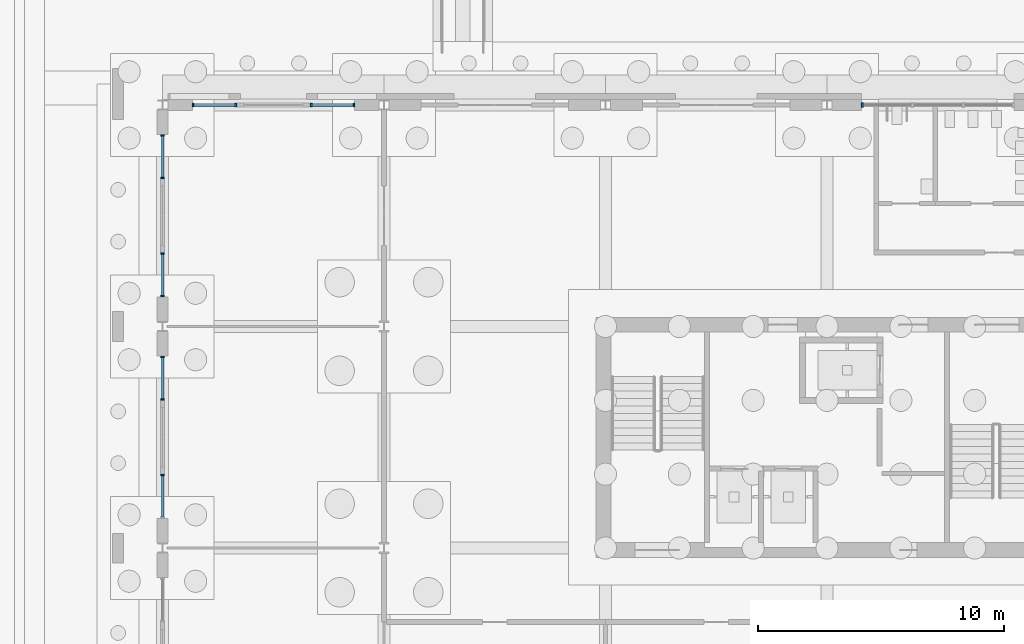
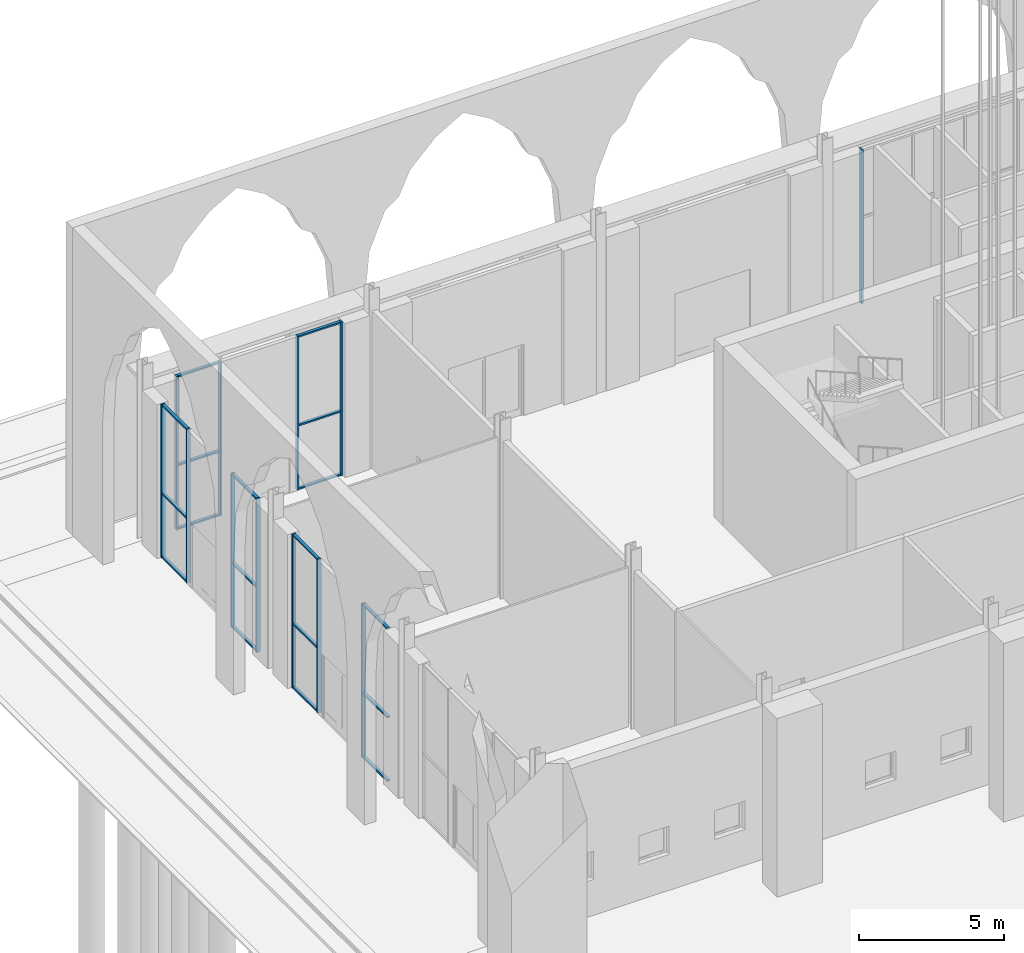
# One storey, part 63 of 250: 30 members, 7 elements without a shape of their own.
"""IFC4 building model written with IfcOpenShell, lengths in metres."""

from ifc_helpers import new_model, si_unit, direction, frame, origin, origin_2d, place, context, subcontext, project, spatial, rectangle, extrude, material, material_profile, profile_set, type_object, element, aggregate, save


model = new_model("IFC4")

# Units and contexts
model_context = context("Model", 3, precision=1e-05, world=origin(), true_north=direction((0.0, 1.0)))
body_context = subcontext(model_context, "Body", "Model", "MODEL_VIEW")
ifc_project = project(units=[si_unit("LENGTHUNIT", "METRE"), si_unit("AREAUNIT", "SQUARE_METRE"), si_unit("VOLUMEUNIT", "CUBIC_METRE"), si_unit("PLANEANGLEUNIT", "RADIAN"), si_unit("MASSUNIT", "GRAM", prefix="KILO")], contexts=[model_context])

# Site, building, storey
site_placement = place(None, origin())
site = spatial("IfcSite", under=ifc_project, at=site_placement, CompositionType="ELEMENT")
building_placement = place(site_placement, origin())
building = spatial("IfcBuilding", under=site, at=building_placement, Name="Baradari Gate Terminus", CompositionType="ELEMENT")
storey_placement = place(building_placement, origin())
storey = spatial("IfcBuildingStorey", under=building, at=storey_placement, Name="L00", CompositionType="ELEMENT", Elevation=0.0)

# Curtain wall, members
ifc_material_1 = material(Name="Aluminium 6063-T6", Category="aluminium")
curtain_wall_type_1 = type_object("IfcCurtainWallType", Name="Curtain wall CW-12 shopfront, other height", PredefinedType="NOTDEFINED", material=ifc_material_1)
curtain_wall_1_placement = place(storey_placement, origin())
curtain_wall_1 = element("IfcCurtainWall", 1, at=curtain_wall_1_placement, inside=storey, type_object=curtain_wall_type_1, Name="Shopfront curtain wall CW-12 TN bay 1 L00", PredefinedType="NOTDEFINED")
ifc_material_2 = material(Name="Aluminium 6063-T6", Category="aluminium")
ifc_material_profile_1 = material_profile(ifc_material_2, rectangle(XDim=0.14990234375, YDim=0.06494140625, at=origin_2d()), Name="CM-12 65X150")
ifc_profile_set_1 = profile_set([ifc_material_profile_1], Name="Aluminium 6063-T6")
member_type_1 = type_object("IfcMemberType", Name="Curtain wall mullion CM-12 65x150", PredefinedType="MULLION", material=ifc_profile_set_1)
member_1_placement = place(storey_placement, frame((10.245361328125, 144.0, 0.0), z_axis=(0.0, 0.0, 1.0), x_axis=(0.0, 1.0, 0.0)))
member_1 = element("IfcMember", 2, at=member_1_placement, type_object=member_type_1, Name="CW-12 mullion 1", PredefinedType="MULLION", context=body_context, shape_type="SweptSolid", body=[
    extrude(rectangle(XDim=0.14990234375, YDim=0.06494140625, at=origin_2d()), origin(), (0.0, 0.0, 1.0), 6.459716796875),
])
member_2_placement = place(storey_placement, frame((11.980224609375, 144.0, 0.0), z_axis=(0.0, 0.0, 1.0), x_axis=(0.0, 1.0, 0.0)))
member_2 = element("IfcMember", 3, at=member_2_placement, type_object=member_type_1, Name="CW-12 mullion 2", PredefinedType="MULLION", context=body_context, shape_type="SweptSolid", body=[
    extrude(rectangle(XDim=0.14990234375, YDim=0.06494140625, at=origin_2d()), origin(), (0.0, 0.0, 1.0), 6.459716796875),
])

curtain_wall_2_placement = place(storey_placement, origin())
curtain_wall_2 = element("IfcCurtainWall", 4, at=curtain_wall_2_placement, inside=storey, type_object=curtain_wall_type_1, Name="Shopfront curtain wall CW-12 TN bay 1 L00", PredefinedType="NOTDEFINED")
member_3_placement = place(storey_placement, frame((15.045166015625, 144.0, 0.0), z_axis=(0.0, 0.0, 1.0), x_axis=(0.0, 1.0, 0.0)))
member_3 = element("IfcMember", 5, at=member_3_placement, type_object=member_type_1, Name="CW-12 mullion 1", PredefinedType="MULLION", context=body_context, shape_type="SweptSolid", body=[
    extrude(rectangle(XDim=0.14990234375, YDim=0.06494140625, at=origin_2d()), origin(), (0.0, 0.0, 1.0), 6.459716796875),
])
member_4_placement = place(storey_placement, frame((16.7802734375, 144.0, 0.0), z_axis=(0.0, 0.0, 1.0), x_axis=(0.0, 1.0, 0.0)))
member_4 = element("IfcMember", 6, at=member_4_placement, type_object=member_type_1, Name="CW-12 mullion 2", PredefinedType="MULLION", context=body_context, shape_type="SweptSolid", body=[
    extrude(rectangle(XDim=0.14990234375, YDim=0.06494140625, at=origin_2d()), origin(), (0.0, 0.0, 1.0), 6.459716796875),
])

# Curtain wall, member
curtain_wall_3_placement = place(storey_placement, origin())
curtain_wall_3 = element("IfcCurtainWall", 7, at=curtain_wall_3_placement, inside=storey, type_object=curtain_wall_type_1, Name="Shopfront curtain wall CW-12 TW bay 14 L00", PredefinedType="NOTDEFINED")
member_5_placement = place(storey_placement, frame((9.0, 128.967529296875, 0.0), z_axis=(0.0, 0.0, 1.0), x_axis=(-1.0, 0.0, 0.0)))
member_5 = element("IfcMember", 8, at=member_5_placement, type_object=member_type_1, Name="CW-12 mullion 2", PredefinedType="MULLION", context=body_context, shape_type="SweptSolid", body=[
    extrude(rectangle(XDim=0.14990234375, YDim=0.06494140625, at=origin_2d()), origin(), (0.0, 0.0, 1.0), 6.459716796875),
])

# Curtain wall, members
curtain_wall_4_placement = place(storey_placement, origin())
curtain_wall_4 = element("IfcCurtainWall", 9, at=curtain_wall_4_placement, inside=storey, type_object=curtain_wall_type_1, Name="Shopfront curtain wall CW-12 TW bay 14 L00", PredefinedType="NOTDEFINED")
member_6_placement = place(storey_placement, frame((9.0, 132.032470703125, 0.0), z_axis=(0.0, 0.0, 1.0), x_axis=(-1.0, 0.0, 0.0)))
member_6 = element("IfcMember", 10, at=member_6_placement, type_object=member_type_1, Name="CW-12 mullion 1", PredefinedType="MULLION", context=body_context, shape_type="SweptSolid", body=[
    extrude(rectangle(XDim=0.14990234375, YDim=0.06494140625, at=origin_2d()), origin(), (0.0, 0.0, 1.0), 6.459716796875),
])
member_7_placement = place(storey_placement, frame((9.0, 133.767578125, 0.0), z_axis=(0.0, 0.0, 1.0), x_axis=(-1.0, 0.0, 0.0)))
member_7 = element("IfcMember", 11, at=member_7_placement, type_object=member_type_1, Name="CW-12 mullion 2", PredefinedType="MULLION", context=body_context, shape_type="SweptSolid", body=[
    extrude(rectangle(XDim=0.14990234375, YDim=0.06494140625, at=origin_2d()), origin(), (0.0, 0.0, 1.0), 6.459716796875),
])

curtain_wall_5_placement = place(storey_placement, origin())
curtain_wall_5 = element("IfcCurtainWall", 12, at=curtain_wall_5_placement, inside=storey, type_object=curtain_wall_type_1, Name="Shopfront curtain wall CW-12 TW bay 15 L00", PredefinedType="NOTDEFINED")
member_8_placement = place(storey_placement, frame((9.0, 136.232421875, 0.0), z_axis=(0.0, 0.0, 1.0), x_axis=(-1.0, 0.0, 0.0)))
member_8 = element("IfcMember", 13, at=member_8_placement, type_object=member_type_1, Name="CW-12 mullion 1", PredefinedType="MULLION", context=body_context, shape_type="SweptSolid", body=[
    extrude(rectangle(XDim=0.14990234375, YDim=0.06494140625, at=origin_2d()), origin(), (0.0, 0.0, 1.0), 6.459716796875),
])
member_9_placement = place(storey_placement, frame((9.0, 137.967529296875, 0.0), z_axis=(0.0, 0.0, 1.0), x_axis=(-1.0, 0.0, 0.0)))
member_9 = element("IfcMember", 14, at=member_9_placement, type_object=member_type_1, Name="CW-12 mullion 2", PredefinedType="MULLION", context=body_context, shape_type="SweptSolid", body=[
    extrude(rectangle(XDim=0.14990234375, YDim=0.06494140625, at=origin_2d()), origin(), (0.0, 0.0, 1.0), 6.459716796875),
])

curtain_wall_6_placement = place(storey_placement, origin())
curtain_wall_6 = element("IfcCurtainWall", 15, at=curtain_wall_6_placement, inside=storey, type_object=curtain_wall_type_1, Name="Shopfront curtain wall CW-12 TW bay 15 L00", PredefinedType="NOTDEFINED")
member_10_placement = place(storey_placement, frame((9.0, 141.032470703125, 0.0), z_axis=(0.0, 0.0, 1.0), x_axis=(-1.0, 0.0, 0.0)))
member_10 = element("IfcMember", 16, at=member_10_placement, type_object=member_type_1, Name="CW-12 mullion 1", PredefinedType="MULLION", context=body_context, shape_type="SweptSolid", body=[
    extrude(rectangle(XDim=0.14990234375, YDim=0.06494140625, at=origin_2d()), origin(), (0.0, 0.0, 1.0), 6.459716796875),
])
member_11_placement = place(storey_placement, frame((9.0, 142.767578125, 0.0), z_axis=(0.0, 0.0, 1.0), x_axis=(-1.0, 0.0, 0.0)))
member_11 = element("IfcMember", 17, at=member_11_placement, type_object=member_type_1, Name="CW-12 mullion 2", PredefinedType="MULLION", context=body_context, shape_type="SweptSolid", body=[
    extrude(rectangle(XDim=0.14990234375, YDim=0.06494140625, at=origin_2d()), origin(), (0.0, 0.0, 1.0), 6.459716796875),
])

# Curtain wall, member
ifc_material_3 = material(Name="Aluminium 6063-T6", Category="aluminium")
curtain_wall_type_2 = type_object("IfcCurtainWallType", Name="Curtain wall CW-7 lobby and lounge glazing", PredefinedType="NOTDEFINED", material=ifc_material_3)
curtain_wall_7_placement = place(storey_placement, origin())
curtain_wall_7 = element("IfcCurtainWall", 18, at=curtain_wall_7_placement, inside=storey, type_object=curtain_wall_type_2, Name="Glazed curtain wall CW-7 TN bay 5 L00", PredefinedType="NOTDEFINED")
ifc_material_4 = material(Name="Aluminium 6063-T6", Category="aluminium")
ifc_material_profile_2 = material_profile(ifc_material_4, rectangle(XDim=0.175048828125, YDim=0.080078125, at=origin_2d()), Name="CM-7 80X175")
ifc_profile_set_2 = profile_set([ifc_material_profile_2], Name="Aluminium 6063-T6")
member_type_2 = type_object("IfcMemberType", Name="Curtain wall mullion CM-7 80x175", PredefinedType="MULLION", material=ifc_profile_set_2)
member_12_placement = place(storey_placement, frame((37.439453125, 144.0, 0.0), z_axis=(0.0, 0.0, 1.0), x_axis=(0.0, 1.0, 0.0)))
member_12 = element("IfcMember", 19, at=member_12_placement, type_object=member_type_2, Name="CW-7 mullion 1", PredefinedType="MULLION", context=body_context, shape_type="SweptSolid", body=[
    extrude(rectangle(XDim=0.175048828125, YDim=0.080078125, at=origin_2d()), origin(), (0.0, 0.0, 1.0), 6.459716796875),
])
aggregate(curtain_wall_7, [member_12])

# Member
ifc_material_5 = material(Name="Aluminium 6063-T6", Category="aluminium")
ifc_material_profile_3 = material_profile(ifc_material_5, rectangle(XDim=0.1201171875, YDim=0.06494140625, at=origin_2d()), Name="CT-12 65X120")
ifc_profile_set_3 = profile_set([ifc_material_profile_3], Name="Aluminium 6063-T6")
member_type_3 = type_object("IfcMemberType", Name="Curtain wall transom CT-12 65x120", PredefinedType="USERDEFINED", material=ifc_profile_set_3)
member_13_placement = place(storey_placement, frame((10.27783203125, 144.0, 0.032470703125), z_axis=(1.0, 0.0, 0.0), x_axis=(0.0, 1.0, 0.0)))
member_13 = element("IfcMember", 20, at=member_13_placement, type_object=member_type_3, Name="CW-12 transom 1.1", ObjectType="TRANSOM", PredefinedType="USERDEFINED", context=body_context, shape_type="SweptSolid", body=[
    extrude(rectangle(XDim=0.1201171875, YDim=0.06494140625, at=origin_2d()), origin(), (0.0, 0.0, 1.0), 1.669921875),
])

member_14_placement = place(storey_placement, frame((10.27783203125, 144.0, 2.699951171875), z_axis=(1.0, 0.0, 0.0), x_axis=(0.0, 1.0, 0.0)))
member_14 = element("IfcMember", 21, at=member_14_placement, type_object=member_type_3, Name="CW-12 transom 1.2", ObjectType="TRANSOM", PredefinedType="USERDEFINED", context=body_context, shape_type="SweptSolid", body=[
    extrude(rectangle(XDim=0.1201171875, YDim=0.06494140625, at=origin_2d()), origin(), (0.0, 0.0, 1.0), 1.669921875),
])

member_15_placement = place(storey_placement, frame((10.27783203125, 144.0, 6.427001953125), z_axis=(1.0, 0.0, 0.0), x_axis=(0.0, 1.0, 0.0)))
member_15 = element("IfcMember", 22, at=member_15_placement, type_object=member_type_3, Name="CW-12 transom 1.3", ObjectType="TRANSOM", PredefinedType="USERDEFINED", context=body_context, shape_type="SweptSolid", body=[
    extrude(rectangle(XDim=0.1201171875, YDim=0.06494140625, at=origin_2d()), origin(), (0.0, 0.0, 1.0), 1.669921875),
])

aggregate(curtain_wall_1, [member_1, member_2, member_13, member_14, member_15])

member_16_placement = place(storey_placement, frame((15.07763671875, 144.0, 0.032470703125), z_axis=(1.0, 0.0, 0.0), x_axis=(0.0, 1.0, 0.0)))
member_16 = element("IfcMember", 23, at=member_16_placement, type_object=member_type_3, Name="CW-12 transom 1.1", ObjectType="TRANSOM", PredefinedType="USERDEFINED", context=body_context, shape_type="SweptSolid", body=[
    extrude(rectangle(XDim=0.1201171875, YDim=0.06494140625, at=origin_2d()), origin(), (0.0, 0.0, 1.0), 1.670166015625),
])

member_17_placement = place(storey_placement, frame((15.07763671875, 144.0, 2.699951171875), z_axis=(1.0, 0.0, 0.0), x_axis=(0.0, 1.0, 0.0)))
member_17 = element("IfcMember", 24, at=member_17_placement, type_object=member_type_3, Name="CW-12 transom 1.2", ObjectType="TRANSOM", PredefinedType="USERDEFINED", context=body_context, shape_type="SweptSolid", body=[
    extrude(rectangle(XDim=0.1201171875, YDim=0.06494140625, at=origin_2d()), origin(), (0.0, 0.0, 1.0), 1.670166015625),
])

member_18_placement = place(storey_placement, frame((15.07763671875, 144.0, 6.427001953125), z_axis=(1.0, 0.0, 0.0), x_axis=(0.0, 1.0, 0.0)))
member_18 = element("IfcMember", 25, at=member_18_placement, type_object=member_type_3, Name="CW-12 transom 1.3", ObjectType="TRANSOM", PredefinedType="USERDEFINED", context=body_context, shape_type="SweptSolid", body=[
    extrude(rectangle(XDim=0.1201171875, YDim=0.06494140625, at=origin_2d()), origin(), (0.0, 0.0, 1.0), 1.670166015625),
])

aggregate(curtain_wall_2, [member_3, member_4, member_16, member_17, member_18])

member_19_placement = place(storey_placement, frame((9.0, 127.264892578125, 0.032470703125), z_axis=(0.0, 1.0, 0.0), x_axis=(-1.0, 0.0, 0.0)))
member_19 = element("IfcMember", 26, at=member_19_placement, type_object=member_type_3, Name="CW-12 transom 1.1", ObjectType="TRANSOM", PredefinedType="USERDEFINED", context=body_context, shape_type="SweptSolid", body=[
    extrude(rectangle(XDim=0.1201171875, YDim=0.06494140625, at=origin_2d()), origin(), (0.0, 0.0, 1.0), 1.670166015625),
])

member_20_placement = place(storey_placement, frame((9.0, 127.264892578125, 2.699951171875), z_axis=(0.0, 1.0, 0.0), x_axis=(-1.0, 0.0, 0.0)))
member_20 = element("IfcMember", 27, at=member_20_placement, type_object=member_type_3, Name="CW-12 transom 1.2", ObjectType="TRANSOM", PredefinedType="USERDEFINED", context=body_context, shape_type="SweptSolid", body=[
    extrude(rectangle(XDim=0.1201171875, YDim=0.06494140625, at=origin_2d()), origin(), (0.0, 0.0, 1.0), 1.670166015625),
])

member_21_placement = place(storey_placement, frame((9.0, 127.264892578125, 6.427001953125), z_axis=(0.0, 1.0, 0.0), x_axis=(-1.0, 0.0, 0.0)))
member_21 = element("IfcMember", 28, at=member_21_placement, type_object=member_type_3, Name="CW-12 transom 1.3", ObjectType="TRANSOM", PredefinedType="USERDEFINED", context=body_context, shape_type="SweptSolid", body=[
    extrude(rectangle(XDim=0.1201171875, YDim=0.06494140625, at=origin_2d()), origin(), (0.0, 0.0, 1.0), 1.670166015625),
])

aggregate(curtain_wall_3, [member_5, member_19, member_20, member_21])

member_22_placement = place(storey_placement, frame((9.0, 132.06494140625, 0.032470703125), z_axis=(0.0, 1.0, 0.0), x_axis=(-1.0, 0.0, 0.0)))
member_22 = element("IfcMember", 29, at=member_22_placement, type_object=member_type_3, Name="CW-12 transom 1.1", ObjectType="TRANSOM", PredefinedType="USERDEFINED", context=body_context, shape_type="SweptSolid", body=[
    extrude(rectangle(XDim=0.1201171875, YDim=0.06494140625, at=origin_2d()), origin(), (0.0, 0.0, 1.0), 1.670166015625),
])

member_23_placement = place(storey_placement, frame((9.0, 132.06494140625, 2.699951171875), z_axis=(0.0, 1.0, 0.0), x_axis=(-1.0, 0.0, 0.0)))
member_23 = element("IfcMember", 30, at=member_23_placement, type_object=member_type_3, Name="CW-12 transom 1.2", ObjectType="TRANSOM", PredefinedType="USERDEFINED", context=body_context, shape_type="SweptSolid", body=[
    extrude(rectangle(XDim=0.1201171875, YDim=0.06494140625, at=origin_2d()), origin(), (0.0, 0.0, 1.0), 1.670166015625),
])

member_24_placement = place(storey_placement, frame((9.0, 132.06494140625, 6.427001953125), z_axis=(0.0, 1.0, 0.0), x_axis=(-1.0, 0.0, 0.0)))
member_24 = element("IfcMember", 31, at=member_24_placement, type_object=member_type_3, Name="CW-12 transom 1.3", ObjectType="TRANSOM", PredefinedType="USERDEFINED", context=body_context, shape_type="SweptSolid", body=[
    extrude(rectangle(XDim=0.1201171875, YDim=0.06494140625, at=origin_2d()), origin(), (0.0, 0.0, 1.0), 1.670166015625),
])

aggregate(curtain_wall_4, [member_6, member_7, member_22, member_23, member_24])

member_25_placement = place(storey_placement, frame((9.0, 136.264892578125, 0.032470703125), z_axis=(0.0, 1.0, 0.0), x_axis=(-1.0, 0.0, 0.0)))
member_25 = element("IfcMember", 32, at=member_25_placement, type_object=member_type_3, Name="CW-12 transom 1.1", ObjectType="TRANSOM", PredefinedType="USERDEFINED", context=body_context, shape_type="SweptSolid", body=[
    extrude(rectangle(XDim=0.1201171875, YDim=0.06494140625, at=origin_2d()), origin(), (0.0, 0.0, 1.0), 1.670166015625),
])

member_26_placement = place(storey_placement, frame((9.0, 136.264892578125, 2.699951171875), z_axis=(0.0, 1.0, 0.0), x_axis=(-1.0, 0.0, 0.0)))
member_26 = element("IfcMember", 33, at=member_26_placement, type_object=member_type_3, Name="CW-12 transom 1.2", ObjectType="TRANSOM", PredefinedType="USERDEFINED", context=body_context, shape_type="SweptSolid", body=[
    extrude(rectangle(XDim=0.1201171875, YDim=0.06494140625, at=origin_2d()), origin(), (0.0, 0.0, 1.0), 1.670166015625),
])

member_27_placement = place(storey_placement, frame((9.0, 136.264892578125, 6.427001953125), z_axis=(0.0, 1.0, 0.0), x_axis=(-1.0, 0.0, 0.0)))
member_27 = element("IfcMember", 34, at=member_27_placement, type_object=member_type_3, Name="CW-12 transom 1.3", ObjectType="TRANSOM", PredefinedType="USERDEFINED", context=body_context, shape_type="SweptSolid", body=[
    extrude(rectangle(XDim=0.1201171875, YDim=0.06494140625, at=origin_2d()), origin(), (0.0, 0.0, 1.0), 1.670166015625),
])

aggregate(curtain_wall_5, [member_8, member_9, member_25, member_26, member_27])

member_28_placement = place(storey_placement, frame((9.0, 141.06494140625, 0.032470703125), z_axis=(0.0, 1.0, 0.0), x_axis=(-1.0, 0.0, 0.0)))
member_28 = element("IfcMember", 35, at=member_28_placement, type_object=member_type_3, Name="CW-12 transom 1.1", ObjectType="TRANSOM", PredefinedType="USERDEFINED", context=body_context, shape_type="SweptSolid", body=[
    extrude(rectangle(XDim=0.1201171875, YDim=0.06494140625, at=origin_2d()), origin(), (0.0, 0.0, 1.0), 1.670166015625),
])

member_29_placement = place(storey_placement, frame((9.0, 141.06494140625, 2.699951171875), z_axis=(0.0, 1.0, 0.0), x_axis=(-1.0, 0.0, 0.0)))
member_29 = element("IfcMember", 36, at=member_29_placement, type_object=member_type_3, Name="CW-12 transom 1.2", ObjectType="TRANSOM", PredefinedType="USERDEFINED", context=body_context, shape_type="SweptSolid", body=[
    extrude(rectangle(XDim=0.1201171875, YDim=0.06494140625, at=origin_2d()), origin(), (0.0, 0.0, 1.0), 1.670166015625),
])

member_30_placement = place(storey_placement, frame((9.0, 141.06494140625, 6.427001953125), z_axis=(0.0, 1.0, 0.0), x_axis=(-1.0, 0.0, 0.0)))
member_30 = element("IfcMember", 37, at=member_30_placement, type_object=member_type_3, Name="CW-12 transom 1.3", ObjectType="TRANSOM", PredefinedType="USERDEFINED", context=body_context, shape_type="SweptSolid", body=[
    extrude(rectangle(XDim=0.1201171875, YDim=0.06494140625, at=origin_2d()), origin(), (0.0, 0.0, 1.0), 1.670166015625),
])

aggregate(curtain_wall_6, [member_10, member_11, member_28, member_29, member_30])

save(model, "model.ifc")
